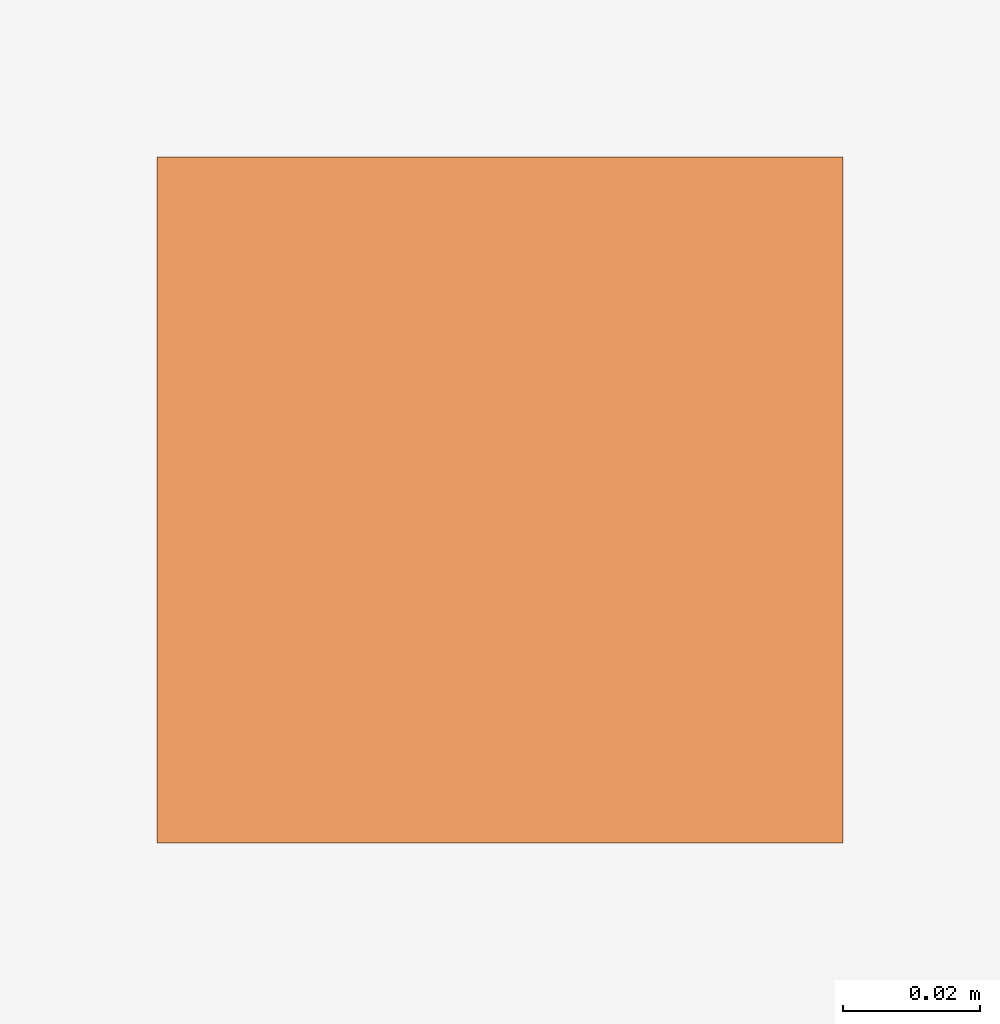
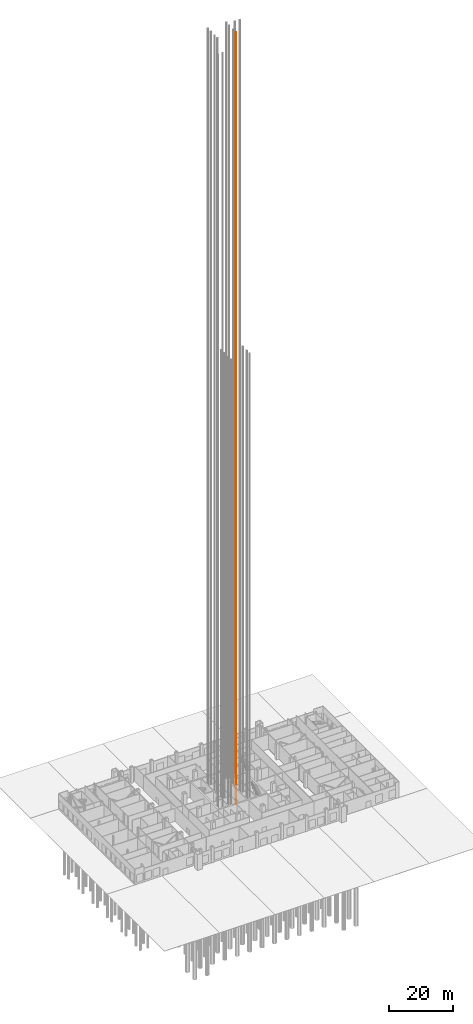
# One storey, part 29 of 36: 1 proxy.
"""IFC4 building model written with IfcOpenShell, lengths in metres."""

import ifcopenshell
import ifcopenshell.guid

model = None  # the IFC model being written
_history = None  # IfcOwnerHistory: only IFC2X3 demands one
_inside = {}  # id of a spatial element -> (the spatial element, [elements in it])
_under = {}  # id of a project, library or spatial element -> (it, [spatial elements below it])
_declared = {}  # id of a project -> (the project, [libraries it declares])
_typed = {}  # id of a type object -> (the type object, [elements of that type])
_made_of = {}  # id of a material, layer set ... -> (it, [elements and type objects made of it])


def new_model(schema):
    """Start an empty IFC model of exactly this schema.

    Asked for "IFC4X3", IfcOpenShell would pick the latest addendum, in which some entities
    have other attributes; the version numbers below select the first issue.
    IFC2X3 requires an IfcOwnerHistory on every rooted entity: one is made here for all.
    """
    global model, _history
    if schema == "IFC4X3":
        model = ifcopenshell.file(schema_version=(4, 3, 0, 0))
    else:
        model = ifcopenshell.file(schema=schema)
    _inside.clear()
    _under.clear()
    _declared.clear()
    _typed.clear()
    _made_of.clear()
    _history = None
    if model.schema == "IFC2X3":
        org = make("IfcOrganization", Name="unknown")
        user = make(
            "IfcPersonAndOrganization",
            ThePerson=make("IfcPerson", FamilyName="unknown"),
            TheOrganization=org,
        )
        app = make(
            "IfcApplication",
            ApplicationDeveloper=org,
            Version="unknown",
            ApplicationFullName="unknown",
            ApplicationIdentifier="unknown",
        )
        _history = make(
            "IfcOwnerHistory",
            OwningUser=user,
            OwningApplication=app,
            ChangeAction="ADDED",
            CreationDate=0,
        )
    return model


def make(cls, **values):
    """One entity of the class cls with the attributes given. An attribute that is None is left unset."""
    return model.create_entity(
        cls, **{name: value for name, value in values.items() if value is not None}
    )


def rooted(cls, **values):
    """An entity with a GlobalId (a new one), such as an element, a storey or a relation."""
    return make(cls, GlobalId=ifcopenshell.guid.new(), OwnerHistory=_history, **values)


def si_unit(unit_type, name, prefix=None):
    """IfcSIUnit, for example si_unit("LENGTHUNIT", "METRE", prefix="MILLI")."""
    return make("IfcSIUnit", UnitType=unit_type, Prefix=prefix, Name=name)


def assignment(units):
    """IfcUnitAssignment: the units of a project."""
    return None if units is None else make("IfcUnitAssignment", Units=units)


def point(xyz):
    """IfcCartesianPoint."""
    return None if xyz is None else make("IfcCartesianPoint", Coordinates=xyz)


def direction(xyz):
    """IfcDirection."""
    return None if xyz is None else make("IfcDirection", DirectionRatios=xyz)


def frame(location, z_axis=None, x_axis=None):
    """IfcAxis2Placement3D, a coordinate frame: its origin and axes. An axis left out is left unset."""
    return make(
        "IfcAxis2Placement3D",
        Location=point(location),
        Axis=direction(z_axis),
        RefDirection=direction(x_axis),
    )


def frame_2d(location, x_axis=None):
    """IfcAxis2Placement2D, a coordinate frame in the plane: its origin and x axis."""
    return make(
        "IfcAxis2Placement2D", Location=point(location), RefDirection=direction(x_axis)
    )


def origin():
    """The frame at (0, 0, 0) with its axes left unset."""
    return frame((0.0, 0.0, 0.0))


def origin_2d():
    """The frame at (0, 0) in the plane with its x axis left unset."""
    return frame_2d((0.0, 0.0))


def place(relative_to, where):
    """IfcLocalPlacement: puts the frame where relative to a parent placement (None: the world)."""
    return make(
        "IfcLocalPlacement", PlacementRelTo=relative_to, RelativePlacement=where
    )


def context(
    kind, dimensions, precision=None, world=None, true_north=None, identifier=None
):
    """IfcGeometricRepresentationContext, for example the 3D "Model" context."""
    return make(
        "IfcGeometricRepresentationContext",
        ContextIdentifier=identifier,
        ContextType=kind,
        CoordinateSpaceDimension=dimensions,
        Precision=precision,
        WorldCoordinateSystem=world,
        TrueNorth=true_north,
    )


def subcontext(parent, identifier, kind, view, scale=None):
    """IfcGeometricRepresentationSubContext, for example "Body" below "Model"."""
    return make(
        "IfcGeometricRepresentationSubContext",
        ContextIdentifier=identifier,
        ContextType=kind,
        ParentContext=parent,
        TargetScale=scale,
        TargetView=view,
    )


def project(units=None, contexts=None):
    """IfcProject with its units and contexts."""
    return rooted(
        "IfcProject",
        Name="project",
        RepresentationContexts=contexts,
        UnitsInContext=assignment(units),
    )


def spatial(cls, under=None, at=None, **own):
    """A site, building, storey or space (cls), placed at a placement, below another one or the project."""
    s = rooted(cls, ObjectPlacement=at, **own)
    if under is not None:
        _under.setdefault(under.id(), (under, []))[1].append(s)
    return s


def profile(cls, at=None, kind="AREA", **sizes):
    """A parametric profile (cls). Its sizes go by their IFC names, for example OverallWidth=200.0."""
    return make(cls, ProfileType=kind, Position=at, **sizes)


def rectangle(**sizes):
    """IfcRectangleProfileDef."""
    return profile("IfcRectangleProfileDef", **sizes)


def extrude(swept, where, along, depth):
    """IfcExtrudedAreaSolid: the profile swept, set in the frame where, extruded along a direction by depth."""
    return make(
        "IfcExtrudedAreaSolid",
        SweptArea=swept,
        Position=where,
        ExtrudedDirection=direction(along),
        Depth=depth,
    )


def shape(context_of_items, identifier, shape_type, items):
    """IfcShapeRepresentation: the items that make up one representation, for example the "Body"."""
    return make(
        "IfcShapeRepresentation",
        ContextOfItems=context_of_items,
        RepresentationIdentifier=identifier,
        RepresentationType=shape_type,
        Items=items,
    )


def material(Name=None, Category=None):
    """IfcMaterial."""
    return make("IfcMaterial", Name=Name, Category=Category)


def made_of(thing, what):
    """Note that an element or type object is made of a material, layer set ...; save() writes the relation."""
    if what is not None:
        _made_of.setdefault(what.id(), (what, []))[1].append(thing)
    return thing


def type_object(cls, material=None, **own):
    """A type object (cls), such as IfcWallType, which elements share."""
    return made_of(rooted(cls, **own), material)


def element(
    cls,
    number,
    at=None,
    inside=None,
    cuts=None,
    type_object=None,
    material=None,
    context=None,
    identifier="Body",
    shape_type=None,
    held_by="IfcProductDefinitionShape",
    body=None,
    shapes=None,
    **own,
):
    """One element of the class cls, such as IfcWall. Its Tag is "e" and its number.

    at: its placement. inside: the storey or other place that contains it. cuts: it is an
    opening in that element (IfcRelVoidsElement). A single representation is given by context,
    identifier, shape_type and body (its items); several are given by shapes. held_by: the class
    of the entity that holds the representations. save() writes the other relations.
    """
    e = rooted(cls, Tag="e%d" % number, ObjectPlacement=at, **own)
    if body is not None:
        shapes = [shape(context, identifier, shape_type, body)]
    if shapes is not None:
        e.Representation = make(held_by, Representations=shapes)
    if inside is not None:
        _inside.setdefault(inside.id(), (inside, []))[1].append(e)
    if cuts is not None:
        rooted(
            "IfcRelVoidsElement", RelatingBuildingElement=cuts, RelatedOpeningElement=e
        )
    if type_object is not None:
        _typed.setdefault(type_object.id(), (type_object, []))[1].append(e)
    return made_of(e, material)


def aggregate(whole, parts):
    """IfcRelAggregates: a whole, such as a stair, and the parts it consists of."""
    return rooted("IfcRelAggregates", RelatingObject=whole, RelatedObjects=parts)


def save(model, path):
    """Write the relations noted so far, then the file.

    IfcRelAggregates (storeys below a building ...), IfcRelContainedInSpatialStructure (elements
    in a storey), IfcRelDefinesByType, IfcRelAssociatesMaterial and IfcRelDeclares: one each for
    every whole, place, type object, material and project.
    """
    for whole, parts in _under.values():
        aggregate(whole, parts)
    for where, things in _inside.values():
        rooted(
            "IfcRelContainedInSpatialStructure",
            RelatedElements=things,
            RelatingStructure=where,
        )
    for kind, things in _typed.values():
        rooted("IfcRelDefinesByType", RelatedObjects=things, RelatingType=kind)
    for what, things in _made_of.values():
        rooted("IfcRelAssociatesMaterial", RelatedObjects=things, RelatingMaterial=what)
    for by, libraries in _declared.values():
        rooted("IfcRelDeclares", RelatingContext=by, RelatedDefinitions=libraries)
    model.write(path)


model = new_model("IFC4")

# Units and contexts
model_context = context("Model", 3, precision=1e-05, world=origin(), true_north=direction((0.0, 1.0)))
body_context = subcontext(model_context, "Body", "Model", "MODEL_VIEW")
ifc_project = project(units=[si_unit("LENGTHUNIT", "METRE"), si_unit("AREAUNIT", "SQUARE_METRE"), si_unit("VOLUMEUNIT", "CUBIC_METRE"), si_unit("PLANEANGLEUNIT", "RADIAN"), si_unit("MASSUNIT", "GRAM", prefix="KILO")], contexts=[model_context])

# Site, building, storey
site_placement = place(None, origin())
site = spatial("IfcSite", under=ifc_project, at=site_placement, CompositionType="ELEMENT")
building_placement = place(site_placement, origin())
building = spatial("IfcBuilding", under=site, at=building_placement, Name="Malebo Sky Hospital", CompositionType="ELEMENT")
storey_placement = place(building_placement, origin())
storey = spatial("IfcBuildingStorey", under=building, at=storey_placement, Name="L00", CompositionType="ELEMENT", Elevation=0.0)

# Proxy
ifc_material = material(Name="Steel S355", Category="steel")
building_element_proxy_type = type_object("IfcBuildingElementProxyType", Name="LIFT GUIDE RAIL 100", PredefinedType="USERDEFINED", material=ifc_material)
proxy_placement = place(storey_placement, frame((63.35009765625, 63.22509765625, 0.0)))
element("IfcBuildingElementProxy", 1, at=proxy_placement, inside=storey, type_object=building_element_proxy_type, Name="Lift E3 guide rail 1", ObjectType="LIFT GUIDE RAIL", PredefinedType="USERDEFINED", context=body_context, shape_type="SweptSolid", body=[
    extrude(rectangle(XDim=0.10009765625, YDim=0.10009765625, at=origin_2d()), frame((0.0, 0.0, -2.25)), (0.0, 0.0, 1.0), 295.75),
])

save(model, "model.ifc")
